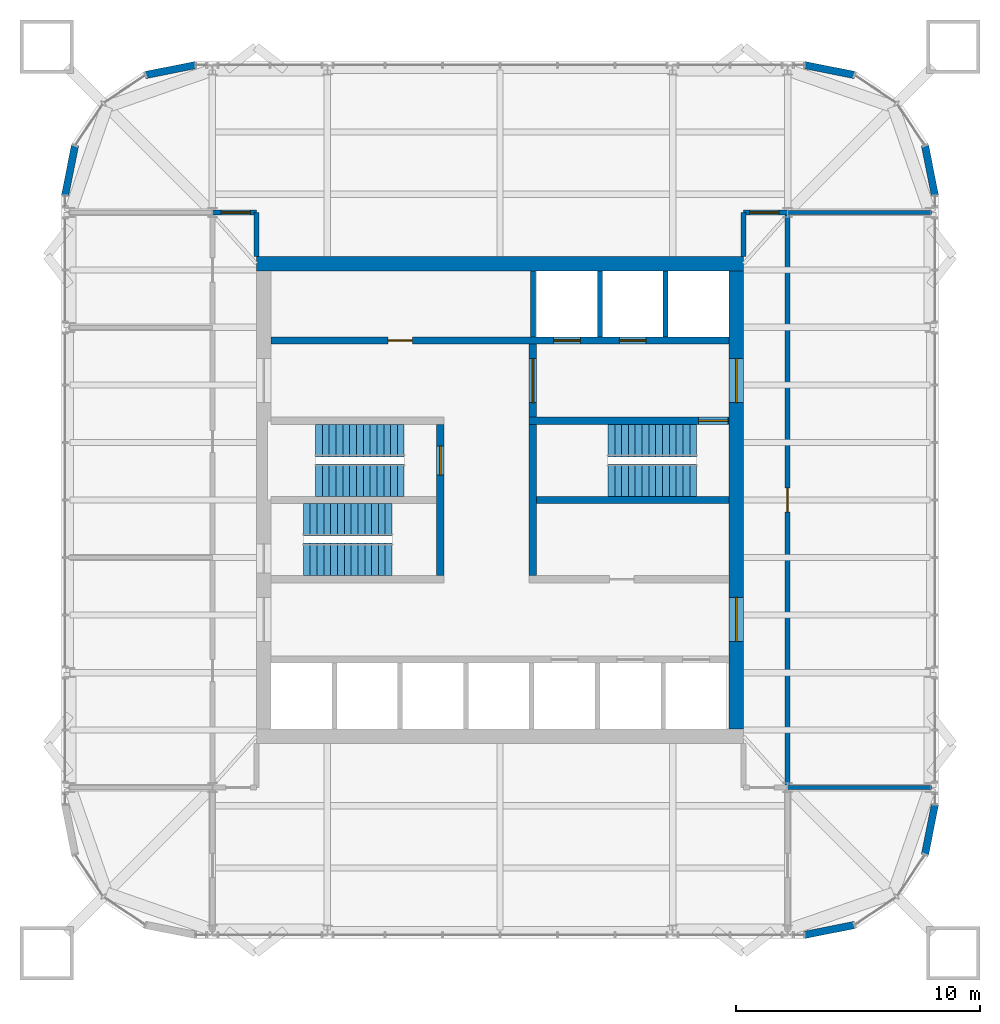
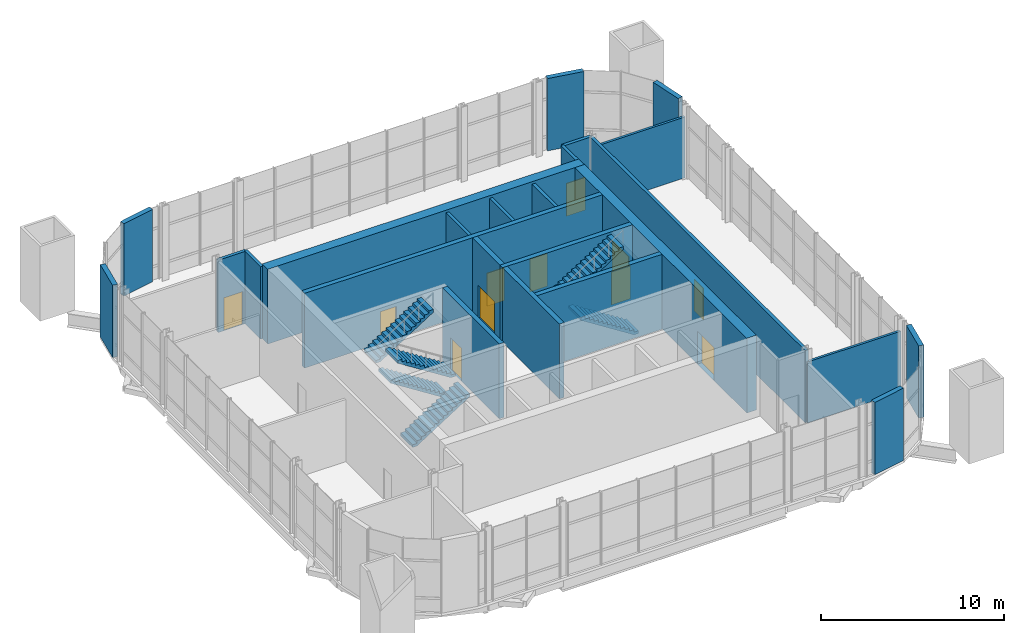
# One storey, part 14 of 15: 23 walls, 11 doors, 6 stair flights, 11 openings, 3 elements without a shape of their own.
"""IFC4 building model written with IfcOpenShell, lengths in metres."""

from ifc_helpers import new_model, si_unit, direction, frame, frame_2d, origin, place, context, subcontext, project, spatial, polyline, rectangle, outline, extrude, material, layer, layer_set, type_object, element, fill, aggregate, save


model = new_model("IFC4")

# Units and contexts
model_context = context("Model", 3, precision=1e-05, world=origin(), true_north=direction((0.0, 1.0)))
body_context = subcontext(model_context, "Body", "Model", "MODEL_VIEW")
ifc_project = project(units=[si_unit("LENGTHUNIT", "METRE"), si_unit("AREAUNIT", "SQUARE_METRE"), si_unit("VOLUMEUNIT", "CUBIC_METRE"), si_unit("PLANEANGLEUNIT", "RADIAN"), si_unit("MASSUNIT", "GRAM", prefix="KILO")], contexts=[model_context])

# Site, building, storey
site_placement = place(None, origin())
site = spatial("IfcSite", under=ifc_project, at=site_placement, CompositionType="ELEMENT")
building_placement = place(site_placement, origin())
building = spatial("IfcBuilding", under=site, at=building_placement, Name="Turquesa Mirador Hotel Tower", CompositionType="ELEMENT")
storey_placement = place(building_placement, frame((0.0, 0.0, 261.699951171875)))
storey = spatial("IfcBuildingStorey", under=building, at=storey_placement, Name="L71", CompositionType="ELEMENT", Elevation=261.699951171875)

# Wall, openings, doors
ifc_material_1 = material(Name="Concrete C50/60", Category="concrete")
ifc_layer_1 = layer(ifc_material_1, 0.300048828125)
ifc_layer_set_1 = layer_set([ifc_layer_1], Name="CORE INNER WALL 300")
wall_type_1 = type_object("IfcWallType", Name="CORE INNER WALL 300", PredefinedType="SHEAR", material=ifc_layer_set_1)
wall_1_placement = place(storey_placement, frame((45.60009765625, 51.550048828125, 0.0), z_axis=(0.0, 0.0, 1.0), x_axis=(1.0, 0.0, 0.0)))
wall_1 = element("IfcWall", 1, at=wall_1_placement, inside=storey, type_object=wall_type_1, Name="Core wall NL", PredefinedType="SHEAR", context=body_context, shape_type="SweptSolid", body=[
    extrude(rectangle(XDim=18.7998046875, YDim=0.300048828125, at=frame_2d((9.39990234375, 0.0))), origin(), (0.0, 0.0, 1.0), 5.0),
])
opening_1_placement = place(wall_1_placement, frame((4.800048828125, 0.0, 0.0)))
opening_1 = element("IfcOpeningElement", 2, at=opening_1_placement, cuts=wall_1, Name="Opening D05", PredefinedType="OPENING", context=body_context, shape_type="SweptSolid", body=[
    extrude(rectangle(XDim=1.0, YDim=2.10009765625, at=frame_2d((0.5, 1.050048828125))), frame((0.0, 0.159912109375, 0.0), z_axis=(0.0, -1.0, 0.0), x_axis=(1.0, 0.0, 0.0)), (0.0, 0.0, 1.0), 0.320068359375),
])
opening_2_placement = place(wall_1_placement, frame((11.60009765625, 0.0, 0.0)))
opening_2 = element("IfcOpeningElement", 3, at=opening_2_placement, cuts=wall_1, Name="Opening LD", PredefinedType="OPENING", context=body_context, shape_type="SweptSolid", body=[
    extrude(rectangle(XDim=1.10009765625, YDim=2.199951171875, at=frame_2d((0.550048828125, 1.10009765625))), frame((0.0, 0.159912109375, 0.0), z_axis=(0.0, -1.0, 0.0), x_axis=(1.0, 0.0, 0.0)), (0.0, 0.0, 1.0), 0.320068359375),
])
opening_3_placement = place(wall_1_placement, frame((14.300048828125, 0.0, 0.0)))
opening_3 = element("IfcOpeningElement", 4, at=opening_3_placement, cuts=wall_1, Name="Opening LD", PredefinedType="OPENING", context=body_context, shape_type="SweptSolid", body=[
    extrude(rectangle(XDim=1.10009765625, YDim=2.199951171875, at=frame_2d((0.550048828125, 1.10009765625))), frame((0.0, 0.159912109375, 0.0), z_axis=(0.0, -1.0, 0.0), x_axis=(1.0, 0.0, 0.0)), (0.0, 0.0, 1.0), 0.320068359375),
])
ifc_material_2 = material(Name="Steel fire door", Category="steel")
door_type_1 = type_object("IfcDoorType", Name="DOOR 1000X2100 SERVICE", OperationType="SINGLE_SWING_LEFT", PredefinedType="DOOR", material=ifc_material_2)
door_1_placement = place(opening_1_placement, origin())
door_1 = element("IfcDoor", 5, at=door_1_placement, inside=storey, type_object=door_type_1, Name="Linen store door", OperationType="SINGLE_SWING_LEFT", OverallHeight=2.10009765625, OverallWidth=1.0, PredefinedType="DOOR", context=body_context, shape_type="SweptSolid", body=[
    extrude(rectangle(XDim=1.0, YDim=2.10009765625, at=frame_2d((0.5, 1.050048828125))), frame((0.0, 0.02490234375, 0.0), z_axis=(0.0, -1.0, 0.0), x_axis=(1.0, 0.0, 0.0)), (0.0, 0.0, 1.0), 0.050048828125),
])
fill(opening_1, door_1)
ifc_material_3 = material(Name="Stainless steel lift landing door", Category="steel")
door_type_2 = type_object("IfcDoorType", Name="LIFT LANDING DOOR 1100X2200", OperationType="SLIDING_TO_LEFT", PredefinedType="DOOR", material=ifc_material_3)
door_2_placement = place(opening_2_placement, origin())
door_2 = element("IfcDoor", 6, at=door_2_placement, inside=storey, type_object=door_type_2, Name="Lift S1 landing door", OperationType="SLIDING_TO_LEFT", OverallHeight=2.199951171875, OverallWidth=1.10009765625, PredefinedType="DOOR", context=body_context, shape_type="SweptSolid", body=[
    extrude(rectangle(XDim=1.10009765625, YDim=2.199951171875, at=frame_2d((0.550048828125, 1.10009765625))), frame((0.0, 0.02490234375, 0.0), z_axis=(0.0, -1.0, 0.0), x_axis=(1.0, 0.0, 0.0)), (0.0, 0.0, 1.0), 0.050048828125),
])
fill(opening_2, door_2)
door_3_placement = place(opening_3_placement, origin())
door_3 = element("IfcDoor", 7, at=door_3_placement, inside=storey, type_object=door_type_2, Name="Lift S2 landing door", OperationType="SLIDING_TO_LEFT", OverallHeight=2.199951171875, OverallWidth=1.10009765625, PredefinedType="DOOR", context=body_context, shape_type="SweptSolid", body=[
    extrude(rectangle(XDim=1.10009765625, YDim=2.199951171875, at=frame_2d((0.550048828125, 1.10009765625))), frame((0.0, 0.02490234375, 0.0), z_axis=(0.0, -1.0, 0.0), x_axis=(1.0, 0.0, 0.0)), (0.0, 0.0, 1.0), 0.050048828125),
])
fill(opening_3, door_3)

# Wall, opening, door
wall_2_placement = place(storey_placement, frame((56.199951171875, 48.25, 0.0), z_axis=(0.0, 0.0, 1.0), x_axis=(1.0, 0.0, 0.0)))
wall_2 = element("IfcWall", 8, at=wall_2_placement, inside=storey, type_object=wall_type_1, Name="Core wall MN-E", PredefinedType="SHEAR", context=body_context, shape_type="SweptSolid", body=[
    extrude(rectangle(XDim=8.199951171875, YDim=0.300048828125, at=frame_2d((4.10009765625, 0.0))), origin(), (0.0, 0.0, 1.0), 5.0),
])
opening_4_placement = place(wall_2_placement, frame((6.949951171875, 0.0, 0.0)))
opening_4 = element("IfcOpeningElement", 9, at=opening_4_placement, cuts=wall_2, Name="Opening D03", PredefinedType="OPENING", context=body_context, shape_type="SweptSolid", body=[
    extrude(rectangle(XDim=1.199951171875, YDim=2.199951171875, at=frame_2d((0.60009765625, 1.10009765625))), frame((0.0, 0.159912109375, 0.0), z_axis=(0.0, -1.0, 0.0), x_axis=(1.0, 0.0, 0.0)), (0.0, 0.0, 1.0), 0.320068359375),
])
ifc_material_4 = material(Name="Steel fire door", Category="steel")
door_type_3 = type_object("IfcDoorType", Name="DOOR 1200X2200 STAIR", OperationType="SINGLE_SWING_LEFT", PredefinedType="DOOR", material=ifc_material_4)
door_4_placement = place(opening_4_placement, origin())
door_4 = element("IfcDoor", 10, at=door_4_placement, inside=storey, type_object=door_type_3, Name="Stair ST3 door", OperationType="SINGLE_SWING_LEFT", OverallHeight=2.199951171875, OverallWidth=1.199951171875, PredefinedType="DOOR", context=body_context, shape_type="SweptSolid", body=[
    extrude(rectangle(XDim=1.199951171875, YDim=2.199951171875, at=frame_2d((0.60009765625, 1.10009765625))), frame((0.0, 0.02490234375, 0.0), z_axis=(0.0, -1.0, 0.0), x_axis=(1.0, 0.0, 0.0)), (0.0, 0.0, 1.0), 0.050048828125),
])
fill(opening_4, door_4)

wall_3_placement = place(storey_placement, frame((52.550048828125, 41.89990234375, 0.0), z_axis=(0.0, 0.0, 1.0), x_axis=(0.0, 1.0, 0.0)))
wall_3 = element("IfcWall", 11, at=wall_3_placement, inside=storey, type_object=wall_type_1, Name="Core wall PW", PredefinedType="SHEAR", context=body_context, shape_type="SweptSolid", body=[
    extrude(rectangle(XDim=6.2001953125, YDim=0.300048828125, at=frame_2d((3.10009765625, 0.0))), origin(), (0.0, 0.0, 1.0), 5.0),
])
opening_5_placement = place(wall_3_placement, frame((4.125, 0.0, 0.0)))
opening_5 = element("IfcOpeningElement", 12, at=opening_5_placement, cuts=wall_3, Name="Opening D03", PredefinedType="OPENING", context=body_context, shape_type="SweptSolid", body=[
    extrude(rectangle(XDim=1.199951171875, YDim=2.199951171875, at=frame_2d((0.60009765625, 1.10009765625))), frame((0.0, 0.159912109375, 0.0), z_axis=(0.0, -1.0, 0.0), x_axis=(1.0, 0.0, 0.0)), (0.0, 0.0, 1.0), 0.320068359375),
])
door_5_placement = place(opening_5_placement, origin())
door_5 = element("IfcDoor", 13, at=door_5_placement, inside=storey, type_object=door_type_3, Name="Stair ST1 door", OperationType="SINGLE_SWING_LEFT", OverallHeight=2.199951171875, OverallWidth=1.199951171875, PredefinedType="DOOR", context=body_context, shape_type="SweptSolid", body=[
    extrude(rectangle(XDim=1.199951171875, YDim=2.199951171875, at=frame_2d((0.60009765625, 1.10009765625))), frame((0.0, 0.02490234375, 0.0), z_axis=(0.0, -1.0, 0.0), x_axis=(1.0, 0.0, 0.0)), (0.0, 0.0, 1.0), 0.050048828125),
])
fill(opening_5, door_5)

wall_4_placement = place(storey_placement, frame((56.35009765625, 41.89990234375, 0.0), z_axis=(0.0, 0.0, 1.0), x_axis=(0.0, 1.0, 0.0)))
wall_4 = element("IfcWall", 14, at=wall_4_placement, inside=storey, type_object=wall_type_1, Name="Core wall PE", PredefinedType="SHEAR", context=body_context, shape_type="SweptSolid", body=[
    extrude(rectangle(XDim=9.5, YDim=0.300048828125, at=frame_2d((4.75, 0.0))), origin(), (0.0, 0.0, 1.0), 5.0),
])
opening_6_placement = place(wall_4_placement, frame((7.10009765625, 0.0, 0.0)))
opening_6 = element("IfcOpeningElement", 15, at=opening_6_placement, cuts=wall_4, Name="Opening D04", PredefinedType="OPENING", context=body_context, shape_type="SweptSolid", body=[
    extrude(rectangle(XDim=1.800048828125, YDim=2.199951171875, at=frame_2d((0.89990234375, 1.10009765625))), frame((0.0, 0.159912109375, 0.0), z_axis=(0.0, -1.0, 0.0), x_axis=(1.0, 0.0, 0.0)), (0.0, 0.0, 1.0), 0.320068359375),
])
ifc_material_5 = material(Name="Steel fire door pair", Category="steel")
door_type_4 = type_object("IfcDoorType", Name="DOOR 1800X2200 PAIR", OperationType="DOUBLE_DOOR_SINGLE_SWING", PredefinedType="DOOR", material=ifc_material_5)
door_6_placement = place(opening_6_placement, origin())
door_6 = element("IfcDoor", 16, at=door_6_placement, inside=storey, type_object=door_type_4, Name="Firefighting lobby inner door", OperationType="DOUBLE_DOOR_SINGLE_SWING", OverallHeight=2.199951171875, OverallWidth=1.800048828125, PredefinedType="DOOR", context=body_context, shape_type="SweptSolid", body=[
    extrude(rectangle(XDim=1.800048828125, YDim=2.199951171875, at=frame_2d((0.89990234375, 1.10009765625))), frame((0.0, 0.02490234375, 0.0), z_axis=(0.0, -1.0, 0.0), x_axis=(1.0, 0.0, 0.0)), (0.0, 0.0, 1.0), 0.050048828125),
])
fill(opening_6, door_6)

# Walls
wall_5_placement = place(storey_placement, frame((56.5, 45.0, 0.0), z_axis=(0.0, 0.0, 1.0), x_axis=(1.0, 0.0, 0.0)))
element("IfcWall", 17, at=wall_5_placement, inside=storey, type_object=wall_type_1, Name="Core wall M0-E", PredefinedType="SHEAR", context=body_context, shape_type="SweptSolid", body=[
    extrude(rectangle(XDim=7.89990234375, YDim=0.300048828125, at=frame_2d((3.949951171875, 0.0))), origin(), (0.0, 0.0, 1.0), 5.0),
])
ifc_material_6 = material(Name="Concrete C50/60", Category="concrete")
ifc_layer_2 = layer(ifc_material_6, 0.60009765625)
ifc_layer_set_2 = layer_set([ifc_layer_2], Name="CORE WALL 600")
wall_type_2 = type_object("IfcWallType", Name="CORE WALL 600", PredefinedType="SHEAR", material=ifc_layer_set_2)
wall_6_placement = place(storey_placement, frame((45.0, 54.699951171875, 0.0), z_axis=(0.0, 0.0, 1.0), x_axis=(1.0, 0.0, 0.0)))
element("IfcWall", 18, at=wall_6_placement, inside=storey, type_object=wall_type_2, Name="Core wall N", PredefinedType="SHEAR", context=body_context, shape_type="SweptSolid", body=[
    extrude(rectangle(XDim=20.0, YDim=0.60009765625, at=frame_2d((10.0, 0.0))), origin(), (0.0, 0.0, 1.0), 5.0),
])

# Wall, openings, doors
wall_7_placement = place(storey_placement, frame((64.699951171875, 35.60009765625, 0.0), z_axis=(0.0, 0.0, 1.0), x_axis=(0.0, 1.0, 0.0)))
wall_7 = element("IfcWall", 19, at=wall_7_placement, inside=storey, type_object=wall_type_2, Name="Core wall E", PredefinedType="SHEAR", context=body_context, shape_type="SweptSolid", body=[
    extrude(rectangle(XDim=18.7998046875, YDim=0.60009765625, at=frame_2d((9.39990234375, 0.0))), origin(), (0.0, 0.0, 1.0), 5.0),
])
opening_7_placement = place(wall_7_placement, frame((13.39990234375, 0.0, 0.0)))
opening_7 = element("IfcOpeningElement", 20, at=opening_7_placement, cuts=wall_7, Name="Opening D04", PredefinedType="OPENING", context=body_context, shape_type="SweptSolid", body=[
    extrude(rectangle(XDim=1.800048828125, YDim=2.199951171875, at=frame_2d((0.89990234375, 1.10009765625))), frame((0.0, 0.31005859375, 0.0), z_axis=(0.0, -1.0, 0.0), x_axis=(1.0, 0.0, 0.0)), (0.0, 0.0, 1.0), 0.6201171875),
])
opening_8_placement = place(wall_7_placement, frame((3.60009765625, 0.0, 0.0)))
opening_8 = element("IfcOpeningElement", 21, at=opening_8_placement, cuts=wall_7, Name="Opening D04", PredefinedType="OPENING", context=body_context, shape_type="SweptSolid", body=[
    extrude(rectangle(XDim=1.800048828125, YDim=2.199951171875, at=frame_2d((0.89990234375, 1.10009765625))), frame((0.0, 0.31005859375, 0.0), z_axis=(0.0, -1.0, 0.0), x_axis=(1.0, 0.0, 0.0)), (0.0, 0.0, 1.0), 0.6201171875),
])
door_7_placement = place(opening_7_placement, origin())
door_7 = element("IfcDoor", 22, at=door_7_placement, inside=storey, type_object=door_type_4, Name="Firefighting lobby door", OperationType="DOUBLE_DOOR_SINGLE_SWING", OverallHeight=2.199951171875, OverallWidth=1.800048828125, PredefinedType="DOOR", context=body_context, shape_type="SweptSolid", body=[
    extrude(rectangle(XDim=1.800048828125, YDim=2.199951171875, at=frame_2d((0.89990234375, 1.10009765625))), frame((0.0, 0.02490234375, 0.0), z_axis=(0.0, -1.0, 0.0), x_axis=(1.0, 0.0, 0.0)), (0.0, 0.0, 1.0), 0.050048828125),
])
fill(opening_7, door_7)
door_8_placement = place(opening_8_placement, origin())
door_8 = element("IfcDoor", 23, at=door_8_placement, inside=storey, type_object=door_type_4, Name="South lift lobby door", OperationType="DOUBLE_DOOR_SINGLE_SWING", OverallHeight=2.199951171875, OverallWidth=1.800048828125, PredefinedType="DOOR", context=body_context, shape_type="SweptSolid", body=[
    extrude(rectangle(XDim=1.800048828125, YDim=2.199951171875, at=frame_2d((0.89990234375, 1.10009765625))), frame((0.0, 0.02490234375, 0.0), z_axis=(0.0, -1.0, 0.0), x_axis=(1.0, 0.0, 0.0)), (0.0, 0.0, 1.0), 0.050048828125),
])
fill(opening_8, door_8)

# Wall, opening, door
ifc_material_7 = material(Name="Fire-rated gypsum board on steel studs", Category="steel")
ifc_layer_3 = layer(ifc_material_7, 0.199951171875)
ifc_layer_set_3 = layer_set([ifc_layer_3], Name="CORRIDOR WALL 200")
wall_type_3 = type_object("IfcWallType", Name="CORRIDOR WALL 200", PredefinedType="PARTITIONING", material=ifc_layer_set_3)
wall_8_placement = place(storey_placement, frame((43.199951171875, 56.800048828125, 0.0), z_axis=(0.0, 0.0, 1.0), x_axis=(1.0, 0.0, 0.0)))
wall_8 = element("IfcWall", 24, at=wall_8_placement, inside=storey, type_object=wall_type_3, Name="Partition L71 006", PredefinedType="PARTITIONING", context=body_context, shape_type="SweptSolid", body=[
    extrude(rectangle(XDim=1.800048828125, YDim=0.199951171875, at=frame_2d((0.89990234375, 0.0))), origin(), (0.0, 0.0, 1.0), 4.830078125),
])
opening_9_placement = place(wall_8_placement, frame((0.35009765625, 0.0, 0.0)))
opening_9 = element("IfcOpeningElement", 25, at=opening_9_placement, cuts=wall_8, Name="Opening D19", PredefinedType="OPENING", context=body_context, shape_type="SweptSolid", body=[
    extrude(rectangle(XDim=1.199951171875, YDim=2.199951171875, at=frame_2d((0.60009765625, 1.10009765625))), frame((0.0, 0.10986328125, 0.0), z_axis=(0.0, -1.0, 0.0), x_axis=(1.0, 0.0, 0.0)), (0.0, 0.0, 1.0), 0.219970703125),
])
ifc_material_8 = material(Name="Steel glazed fire door", Category="steel")
door_type_5 = type_object("IfcDoorType", Name="DOOR 1200X2200 FIRE DOOR GLAZED", OperationType="SINGLE_SWING_LEFT", PredefinedType="DOOR", material=ifc_material_8)
door_9_placement = place(opening_9_placement, origin())
door_9 = element("IfcDoor", 26, at=door_9_placement, inside=storey, type_object=door_type_5, Name="Door L71-01", OperationType="SINGLE_SWING_LEFT", OverallHeight=2.199951171875, OverallWidth=1.199951171875, PredefinedType="DOOR", context=body_context, shape_type="SweptSolid", body=[
    extrude(rectangle(XDim=1.199951171875, YDim=2.199951171875, at=frame_2d((0.60009765625, 1.10009765625))), frame((0.0, 0.02490234375, 0.0), z_axis=(0.0, -1.0, 0.0), x_axis=(1.0, 0.0, 0.0)), (0.0, 0.0, 1.0), 0.050048828125),
])
fill(opening_9, door_9)

wall_9_placement = place(storey_placement, frame((65.0, 56.800048828125, 0.0), z_axis=(0.0, 0.0, 1.0), x_axis=(1.0, 0.0, 0.0)))
wall_9 = element("IfcWall", 27, at=wall_9_placement, inside=storey, type_object=wall_type_3, Name="Partition L71 007", PredefinedType="PARTITIONING", context=body_context, shape_type="SweptSolid", body=[
    extrude(rectangle(XDim=1.800048828125, YDim=0.199951171875, at=frame_2d((0.89990234375, 0.0))), origin(), (0.0, 0.0, 1.0), 4.830078125),
])
opening_10_placement = place(wall_9_placement, frame((0.25, 0.0, 0.0)))
opening_10 = element("IfcOpeningElement", 28, at=opening_10_placement, cuts=wall_9, Name="Opening D19", PredefinedType="OPENING", context=body_context, shape_type="SweptSolid", body=[
    extrude(rectangle(XDim=1.199951171875, YDim=2.199951171875, at=frame_2d((0.60009765625, 1.10009765625))), frame((0.0, 0.10986328125, 0.0), z_axis=(0.0, -1.0, 0.0), x_axis=(1.0, 0.0, 0.0)), (0.0, 0.0, 1.0), 0.219970703125),
])
door_10_placement = place(opening_10_placement, origin())
door_10 = element("IfcDoor", 29, at=door_10_placement, inside=storey, type_object=door_type_5, Name="Door L71-01-1", OperationType="SINGLE_SWING_LEFT", OverallHeight=2.199951171875, OverallWidth=1.199951171875, PredefinedType="DOOR", context=body_context, shape_type="SweptSolid", body=[
    extrude(rectangle(XDim=1.199951171875, YDim=2.199951171875, at=frame_2d((0.60009765625, 1.10009765625))), frame((0.0, 0.02490234375, 0.0), z_axis=(0.0, -1.0, 0.0), x_axis=(1.0, 0.0, 0.0)), (0.0, 0.0, 1.0), 0.050048828125),
])
fill(opening_10, door_10)

# Walls
for number, where, z_axis, x_axis, name in (
    (30, (45.0, 55.0, 0.0), (0.0, 0.0, 1.0), (0.0, 1.0, 0.0), "Partition L71 012"),
    (31, (65.0, 55.0, 0.0), (0.0, 0.0, 1.0), (0.0, 1.0, 0.0), "Partition L71 016"),
):
    element("IfcWall", number, at=place(storey_placement, frame(where, z_axis=z_axis, x_axis=x_axis)), inside=storey, type_object=wall_type_3, Name=name, PredefinedType="PARTITIONING", context=body_context, shape_type="SweptSolid", body=[
        extrude(rectangle(XDim=1.800048828125, YDim=0.199951171875, at=frame_2d((0.89990234375, 0.0))), origin(), (0.0, 0.0, 1.0), 4.830078125),
    ])

# Wall, opening, door
wall_10_placement = place(storey_placement, frame((66.800048828125, 33.199951171875, 0.0), z_axis=(0.0, 0.0, 1.0), x_axis=(0.0, 1.0, 0.0)))
wall_10 = element("IfcWall", 32, at=wall_10_placement, inside=storey, type_object=wall_type_3, Name="Partition L71 017", PredefinedType="PARTITIONING", context=body_context, shape_type="SweptSolid", body=[
    extrude(rectangle(XDim=23.60009765625, YDim=0.199951171875, at=frame_2d((11.800048828125, 0.0))), origin(), (0.0, 0.0, 1.0), 4.830078125),
])
opening_11_placement = place(wall_10_placement, frame((11.300048828125, 0.0, 0.0)))
opening_11 = element("IfcOpeningElement", 33, at=opening_11_placement, cuts=wall_10, Name="Opening D05", PredefinedType="OPENING", context=body_context, shape_type="SweptSolid", body=[
    extrude(rectangle(XDim=1.0, YDim=2.10009765625, at=frame_2d((0.5, 1.050048828125))), frame((0.0, 0.10986328125, 0.0), z_axis=(0.0, -1.0, 0.0), x_axis=(1.0, 0.0, 0.0)), (0.0, 0.0, 1.0), 0.219970703125),
])
door_11_placement = place(opening_11_placement, origin())
door_11 = element("IfcDoor", 34, at=door_11_placement, inside=storey, type_object=door_type_1, Name="Door L71-05", OperationType="SINGLE_SWING_LEFT", OverallHeight=2.10009765625, OverallWidth=1.0, PredefinedType="DOOR", context=body_context, shape_type="SweptSolid", body=[
    extrude(rectangle(XDim=1.0, YDim=2.10009765625, at=frame_2d((0.5, 1.050048828125))), frame((0.0, 0.02490234375, 0.0), z_axis=(0.0, -1.0, 0.0), x_axis=(1.0, 0.0, 0.0)), (0.0, 0.0, 1.0), 0.050048828125),
])
fill(opening_11, door_11)

# Walls
ifc_material_9 = material(Name="Limestone cladding on concrete block", Category="masonry")
ifc_layer_4 = layer(ifc_material_9, 0.300048828125)
ifc_layer_set_4 = layer_set([ifc_layer_4], Name="FACADE WALL 300 STONE PIER")
wall_type_4 = type_object("IfcWallType", Name="FACADE WALL 300 STONE PIER", PredefinedType="SOLIDWALL", material=ifc_layer_set_4)
for number, where, z_axis, x_axis, name in (
    (35, (67.5, 27.14990234375, 0.0), (0.0, 0.0, 1.0), (0.980787050784, 0.195081421501, 0.0), "Facade wall L71 bay CWR-L71-00 00"),
    (36, (72.44287109375, 30.45263671875, 0.0), (0.0, 0.0, 1.0), (0.195081421501, 0.980787050784, 0.0), "Facade wall L71 bay CWR-L71-00 03"),
    (37, (72.85009765625, 57.5, 0.0), (0.0, 0.0, 1.0), (-0.195081421501, 0.980787050784, 0.0), "Facade wall L71 bay CWR-L71-02 00"),
    (38, (69.54736328125, 62.44287109375, 0.0), (0.0, 0.0, 1.0), (-0.980787050784, 0.195081421501, 0.0), "Facade wall L71 bay CWR-L71-02 03"),
    (39, (42.5, 62.85009765625, 0.0), (0.0, 0.0, 1.0), (-0.980787050784, -0.195081421501, 0.0), "Facade wall L71 bay CWR-L71-04 00"),
    (40, (37.55712890625, 59.54736328125, 0.0), (0.0, 0.0, 1.0), (-0.195081421501, -0.980787050784, 0.0), "Facade wall L71 bay CWR-L71-04 03"),
):
    element("IfcWall", number, at=place(storey_placement, frame(where, z_axis=z_axis, x_axis=x_axis)), inside=storey, type_object=wall_type_4, Name=name, PredefinedType="SOLIDWALL", context=body_context, shape_type="SweptSolid", body=[
        extrude(rectangle(XDim=2.08740234375, YDim=0.300048828125, at=frame_2d((1.043701171875, 0.0))), origin(), (0.0, 0.0, 1.0), 4.830078125),
    ])
ifc_material_10 = material(Name="Fire-rated gypsum shaft wall on steel studs", Category="steel")
ifc_layer_5 = layer(ifc_material_10, 0.199951171875)
ifc_layer_set_5 = layer_set([ifc_layer_5], Name="LIFT SHAFT DIVIDER 200")
wall_type_5 = type_object("IfcWallType", Name="LIFT SHAFT DIVIDER 200", PredefinedType="PARTITIONING", material=ifc_layer_set_5)
for number, where, z_axis, x_axis, name in (
    (41, (59.10009765625, 51.699951171875, 0.0), (0.0, 0.0, 1.0), (0.0, 1.0, 0.0), "Lift shaft divider"),
    (42, (61.800048828125, 51.699951171875, 0.0), (0.0, 0.0, 1.0), (0.0, 1.0, 0.0), "Lift shaft divider"),
    (43, (56.35009765625, 51.699951171875, 0.0), (0.0, 0.0, 1.0), (0.0, 1.0, 0.0), "Lift shaft divider"),
):
    element("IfcWall", number, at=place(storey_placement, frame(where, z_axis=z_axis, x_axis=x_axis)), inside=storey, type_object=wall_type_5, Name=name, PredefinedType="PARTITIONING", context=body_context, shape_type="SweptSolid", body=[
        extrude(rectangle(XDim=2.699951171875, YDim=0.199951171875, at=frame_2d((1.35009765625, 0.0))), origin(), (0.0, 0.0, 1.0), 4.830078125),
    ])
ifc_material_11 = material(Name="Gypsum board on steel studs", Category="steel")
ifc_layer_6 = layer(ifc_material_11, 0.14990234375)
ifc_layer_set_6 = layer_set([ifc_layer_6], Name="PARTITION 150")
wall_type_6 = type_object("IfcWallType", Name="PARTITION 150", PredefinedType="PARTITIONING", material=ifc_layer_set_6)
for number, where, z_axis, x_axis, name in (
    (44, (66.800048828125, 33.199951171875, 0.0), (0.0, 0.0, 1.0), (1.0, 0.0, 0.0), "Partition L71 004"),
    (45, (66.800048828125, 56.800048828125, 0.0), (0.0, 0.0, 1.0), (1.0, 0.0, 0.0), "Partition L71 009"),
):
    element("IfcWall", number, at=place(storey_placement, frame(where, z_axis=z_axis, x_axis=x_axis)), inside=storey, type_object=wall_type_6, Name=name, PredefinedType="PARTITIONING", context=body_context, shape_type="SweptSolid", body=[
        extrude(rectangle(XDim=5.89990234375, YDim=0.14990234375, at=frame_2d((2.949951171875, 0.0))), origin(), (0.0, 0.0, 1.0), 4.068115234375),
    ])

# Stair, stair flights
ifc_material_12 = material(Name="Concrete C35/45", Category="concrete")
stair_type = type_object("IfcStairType", Name="ESCAPE STAIR CORE", PredefinedType="HALF_TURN_STAIR", material=ifc_material_12)
stair_1_placement = place(storey_placement, origin())
stair_1 = element("IfcStair", 46, at=stair_1_placement, inside=storey, type_object=stair_type, Name="Stair ST1 L71 to L72", PredefinedType="HALF_TURN_STAIR")
ifc_material_13 = material(Name="Concrete C35/45 precast flight", Category="concrete")
stair_flight_type = type_object("IfcStairFlightType", Name="STAIR FLIGHT 1330", PredefinedType="STRAIGHT", material=ifc_material_13)
stair_flight_1_placement = place(storey_placement, frame((51.070068359375, 45.81494140625, 0.0), z_axis=(0.0, 0.0, 1.0), x_axis=(-1.0, 0.0, 0.0)))
stair_flight_1 = element("IfcStairFlight", 47, at=stair_flight_1_placement, type_object=stair_flight_type, Name="ST1 flight 1", NumberOfRisers=14, NumberOfTreads=13, PredefinedType="STRAIGHT", RiserHeight=0.178571429, TreadLength=0.28, context=body_context, shape_type="SweptSolid", body=[
    extrude(outline(polyline([(0.0, 0.0), (0.0, 0.178466796875), (0.280029296875, 0.178466796875), (0.280029296875, 0.357177734375), (0.56005859375, 0.357177734375), (0.56005859375, 0.53564453125), (0.840087890625, 0.53564453125), (0.840087890625, 0.71435546875), (1.1201171875, 0.71435546875), (1.1201171875, 0.892822265625), (1.39990234375, 0.892822265625), (1.39990234375, 1.071533203125), (1.679931640625, 1.071533203125), (1.679931640625, 1.25), (1.9599609375, 1.25), (1.9599609375, 1.428466796875), (2.239990234375, 1.428466796875), (2.239990234375, 1.607177734375), (2.52001953125, 1.607177734375), (2.52001953125, 1.78564453125), (2.800048828125, 1.78564453125), (2.800048828125, 1.96435546875), (3.080078125, 1.96435546875), (3.080078125, 2.142822265625), (3.360107421875, 2.142822265625), (3.360107421875, 2.321533203125), (3.639892578125, 2.321533203125), (3.639892578125, 2.5), (3.639892578125, 2.1435546875), (0.27880859375, 0.0), (0.0, 0.0)])), frame((0.0, 0.6650390625, 0.0), z_axis=(0.0, -1.0, 0.0), x_axis=(1.0, 0.0, 0.0)), (0.0, 0.0, 1.0), 1.330078125),
])
stair_flight_2_placement = place(storey_placement, frame((47.429931640625, 47.43505859375, 2.5), z_axis=(0.0, 0.0, 1.0), x_axis=(1.0, 0.0, 0.0)))
stair_flight_2 = element("IfcStairFlight", 48, at=stair_flight_2_placement, type_object=stair_flight_type, Name="ST1 flight 2", NumberOfRisers=14, NumberOfTreads=13, PredefinedType="STRAIGHT", RiserHeight=0.178571429, TreadLength=0.28, context=body_context, shape_type="SweptSolid", body=[
    extrude(outline(polyline([(0.0, 0.0), (0.0, 0.178466796875), (0.280029296875, 0.178466796875), (0.280029296875, 0.357177734375), (0.56005859375, 0.357177734375), (0.56005859375, 0.53564453125), (0.840087890625, 0.53564453125), (0.840087890625, 0.71435546875), (1.1201171875, 0.71435546875), (1.1201171875, 0.892822265625), (1.39990234375, 0.892822265625), (1.39990234375, 1.071533203125), (1.679931640625, 1.071533203125), (1.679931640625, 1.25), (1.9599609375, 1.25), (1.9599609375, 1.428466796875), (2.239990234375, 1.428466796875), (2.239990234375, 1.607177734375), (2.52001953125, 1.607177734375), (2.52001953125, 1.78564453125), (2.800048828125, 1.78564453125), (2.800048828125, 1.96435546875), (3.080078125, 1.96435546875), (3.080078125, 2.142822265625), (3.360107421875, 2.142822265625), (3.360107421875, 2.321533203125), (3.639892578125, 2.321533203125), (3.639892578125, 2.5), (3.639892578125, 2.1435546875), (0.27880859375, 0.0), (0.0, 0.0)])), frame((0.0, 0.6650390625, 0.0), z_axis=(0.0, -1.0, 0.0), x_axis=(1.0, 0.0, 0.0)), (0.0, 0.0, 1.0), 1.330078125),
])
aggregate(stair_1, [stair_flight_1, stair_flight_2])

stair_2_placement = place(storey_placement, origin())
stair_2 = element("IfcStair", 49, at=stair_2_placement, inside=storey, type_object=stair_type, Name="Stair ST2 L71 to L72", PredefinedType="HALF_TURN_STAIR")
stair_flight_3_placement = place(storey_placement, frame((46.929931640625, 42.56494140625, 0.0), z_axis=(0.0, 0.0, 1.0), x_axis=(1.0, 0.0, 0.0)))
stair_flight_3 = element("IfcStairFlight", 50, at=stair_flight_3_placement, type_object=stair_flight_type, Name="ST2 flight 1", NumberOfRisers=14, NumberOfTreads=13, PredefinedType="STRAIGHT", RiserHeight=0.178571429, TreadLength=0.28, context=body_context, shape_type="SweptSolid", body=[
    extrude(outline(polyline([(0.0, 0.0), (0.0, 0.178466796875), (0.280029296875, 0.178466796875), (0.280029296875, 0.357177734375), (0.56005859375, 0.357177734375), (0.56005859375, 0.53564453125), (0.840087890625, 0.53564453125), (0.840087890625, 0.71435546875), (1.1201171875, 0.71435546875), (1.1201171875, 0.892822265625), (1.39990234375, 0.892822265625), (1.39990234375, 1.071533203125), (1.679931640625, 1.071533203125), (1.679931640625, 1.25), (1.9599609375, 1.25), (1.9599609375, 1.428466796875), (2.239990234375, 1.428466796875), (2.239990234375, 1.607177734375), (2.52001953125, 1.607177734375), (2.52001953125, 1.78564453125), (2.800048828125, 1.78564453125), (2.800048828125, 1.96435546875), (3.080078125, 1.96435546875), (3.080078125, 2.142822265625), (3.360107421875, 2.142822265625), (3.360107421875, 2.321533203125), (3.639892578125, 2.321533203125), (3.639892578125, 2.5), (3.639892578125, 2.1435546875), (0.27880859375, 0.0), (0.0, 0.0)])), frame((0.0, 0.6650390625, 0.0), z_axis=(0.0, -1.0, 0.0), x_axis=(1.0, 0.0, 0.0)), (0.0, 0.0, 1.0), 1.330078125),
])
stair_flight_4_placement = place(storey_placement, frame((50.570068359375, 44.18505859375, 2.5), z_axis=(0.0, 0.0, 1.0), x_axis=(-1.0, 0.0, 0.0)))
stair_flight_4 = element("IfcStairFlight", 51, at=stair_flight_4_placement, type_object=stair_flight_type, Name="ST2 flight 2", NumberOfRisers=14, NumberOfTreads=13, PredefinedType="STRAIGHT", RiserHeight=0.178571429, TreadLength=0.28, context=body_context, shape_type="SweptSolid", body=[
    extrude(outline(polyline([(0.0, 0.0), (0.0, 0.178466796875), (0.280029296875, 0.178466796875), (0.280029296875, 0.357177734375), (0.56005859375, 0.357177734375), (0.56005859375, 0.53564453125), (0.840087890625, 0.53564453125), (0.840087890625, 0.71435546875), (1.1201171875, 0.71435546875), (1.1201171875, 0.892822265625), (1.39990234375, 0.892822265625), (1.39990234375, 1.071533203125), (1.679931640625, 1.071533203125), (1.679931640625, 1.25), (1.9599609375, 1.25), (1.9599609375, 1.428466796875), (2.239990234375, 1.428466796875), (2.239990234375, 1.607177734375), (2.52001953125, 1.607177734375), (2.52001953125, 1.78564453125), (2.800048828125, 1.78564453125), (2.800048828125, 1.96435546875), (3.080078125, 1.96435546875), (3.080078125, 2.142822265625), (3.360107421875, 2.142822265625), (3.360107421875, 2.321533203125), (3.639892578125, 2.321533203125), (3.639892578125, 2.5), (3.639892578125, 2.1435546875), (0.27880859375, 0.0), (0.0, 0.0)])), frame((0.0, 0.6650390625, 0.0), z_axis=(0.0, -1.0, 0.0), x_axis=(1.0, 0.0, 0.0)), (0.0, 0.0, 1.0), 1.330078125),
])
aggregate(stair_2, [stair_flight_3, stair_flight_4])

stair_3_placement = place(storey_placement, origin())
stair_3 = element("IfcStair", 52, at=stair_3_placement, inside=storey, type_object=stair_type, Name="Stair ST3 L71 to L72", PredefinedType="HALF_TURN_STAIR")
stair_flight_5_placement = place(storey_placement, frame((63.070068359375, 45.81494140625, 0.0), z_axis=(0.0, 0.0, 1.0), x_axis=(-1.0, 0.0, 0.0)))
stair_flight_5 = element("IfcStairFlight", 53, at=stair_flight_5_placement, type_object=stair_flight_type, Name="ST3 flight 1", NumberOfRisers=14, NumberOfTreads=13, PredefinedType="STRAIGHT", RiserHeight=0.178571429, TreadLength=0.28, context=body_context, shape_type="SweptSolid", body=[
    extrude(outline(polyline([(0.0, 0.0), (0.0, 0.178466796875), (0.280029296875, 0.178466796875), (0.280029296875, 0.357177734375), (0.56005859375, 0.357177734375), (0.56005859375, 0.53564453125), (0.840087890625, 0.53564453125), (0.840087890625, 0.71435546875), (1.1201171875, 0.71435546875), (1.1201171875, 0.892822265625), (1.39990234375, 0.892822265625), (1.39990234375, 1.071533203125), (1.679931640625, 1.071533203125), (1.679931640625, 1.25), (1.9599609375, 1.25), (1.9599609375, 1.428466796875), (2.239990234375, 1.428466796875), (2.239990234375, 1.607177734375), (2.52001953125, 1.607177734375), (2.52001953125, 1.78564453125), (2.800048828125, 1.78564453125), (2.800048828125, 1.96435546875), (3.080078125, 1.96435546875), (3.080078125, 2.142822265625), (3.360107421875, 2.142822265625), (3.360107421875, 2.321533203125), (3.639892578125, 2.321533203125), (3.639892578125, 2.5), (3.639892578125, 2.1435546875), (0.27880859375, 0.0), (0.0, 0.0)])), frame((0.0, 0.6650390625, 0.0), z_axis=(0.0, -1.0, 0.0), x_axis=(1.0, 0.0, 0.0)), (0.0, 0.0, 1.0), 1.330078125),
])
stair_flight_6_placement = place(storey_placement, frame((59.429931640625, 47.43505859375, 2.5), z_axis=(0.0, 0.0, 1.0), x_axis=(1.0, 0.0, 0.0)))
stair_flight_6 = element("IfcStairFlight", 54, at=stair_flight_6_placement, type_object=stair_flight_type, Name="ST3 flight 2", NumberOfRisers=14, NumberOfTreads=13, PredefinedType="STRAIGHT", RiserHeight=0.178571429, TreadLength=0.28, context=body_context, shape_type="SweptSolid", body=[
    extrude(outline(polyline([(0.0, 0.0), (0.0, 0.178466796875), (0.280029296875, 0.178466796875), (0.280029296875, 0.357177734375), (0.56005859375, 0.357177734375), (0.56005859375, 0.53564453125), (0.840087890625, 0.53564453125), (0.840087890625, 0.71435546875), (1.1201171875, 0.71435546875), (1.1201171875, 0.892822265625), (1.39990234375, 0.892822265625), (1.39990234375, 1.071533203125), (1.679931640625, 1.071533203125), (1.679931640625, 1.25), (1.9599609375, 1.25), (1.9599609375, 1.428466796875), (2.239990234375, 1.428466796875), (2.239990234375, 1.607177734375), (2.52001953125, 1.607177734375), (2.52001953125, 1.78564453125), (2.800048828125, 1.78564453125), (2.800048828125, 1.96435546875), (3.080078125, 1.96435546875), (3.080078125, 2.142822265625), (3.360107421875, 2.142822265625), (3.360107421875, 2.321533203125), (3.639892578125, 2.321533203125), (3.639892578125, 2.5), (3.639892578125, 2.1435546875), (0.27880859375, 0.0), (0.0, 0.0)])), frame((0.0, 0.6650390625, 0.0), z_axis=(0.0, -1.0, 0.0), x_axis=(1.0, 0.0, 0.0)), (0.0, 0.0, 1.0), 1.330078125),
])
aggregate(stair_3, [stair_flight_5, stair_flight_6])

save(model, "model.ifc")
